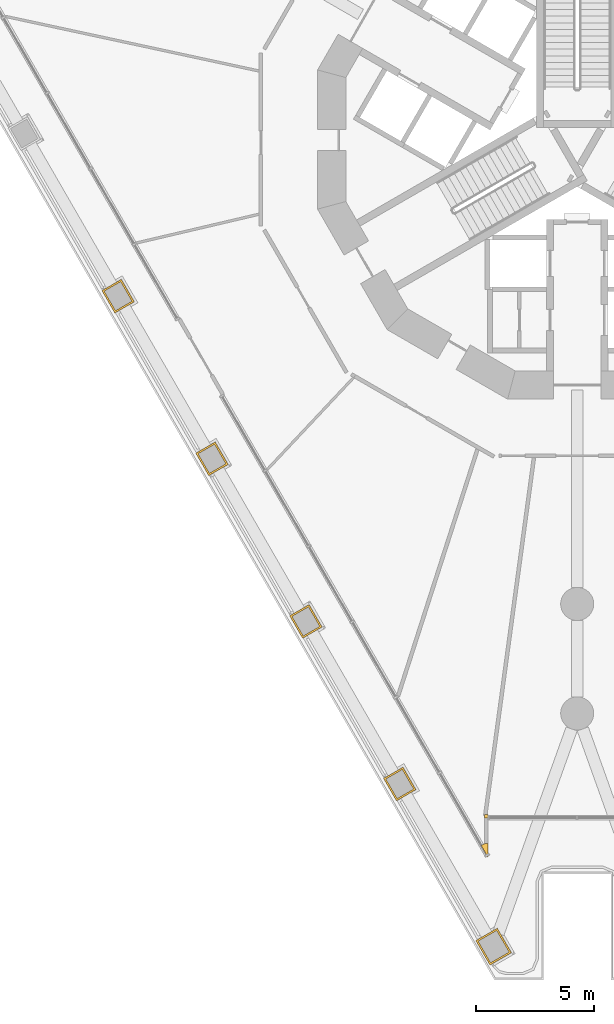
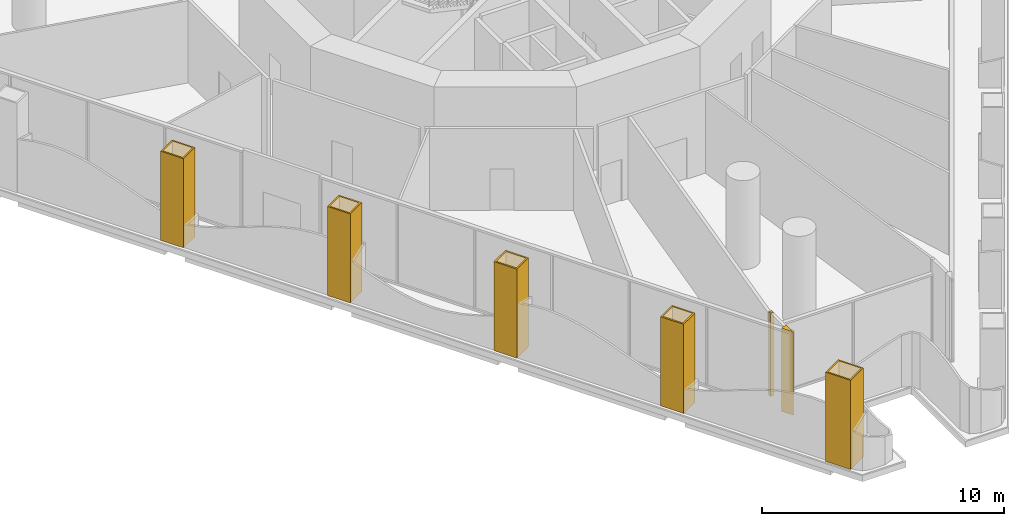
# One storey, part 14 of 21: 7 coverings.
"""IFC4 building model written with IfcOpenShell, lengths in metres."""

from ifc_helpers import new_model, si_unit, direction, frame, origin, place, context, subcontext, project, spatial, polyline, outline, extrude, material, layer, layer_set, type_object, element, save


model = new_model("IFC4")

# Units and contexts
model_context = context("Model", 3, precision=1e-05, world=origin(), true_north=direction((0.0, 1.0)))
body_context = subcontext(model_context, "Body", "Model", "MODEL_VIEW")
ifc_project = project(units=[si_unit("LENGTHUNIT", "METRE"), si_unit("AREAUNIT", "SQUARE_METRE"), si_unit("VOLUMEUNIT", "CUBIC_METRE"), si_unit("PLANEANGLEUNIT", "RADIAN"), si_unit("MASSUNIT", "GRAM", prefix="KILO")], contexts=[model_context])

# Site, building, storey
site_placement = place(None, origin())
site = spatial("IfcSite", under=ifc_project, at=site_placement, CompositionType="ELEMENT")
building_placement = place(site_placement, origin())
building = spatial("IfcBuilding", under=site, at=building_placement, Name="Trine Commons Tower", CompositionType="ELEMENT")
storey_placement = place(building_placement, frame((0.0, 0.0, 27.0)))
storey = spatial("IfcBuildingStorey", under=building, at=storey_placement, Name="L05", CompositionType="ELEMENT", Elevation=27.0)

# Coverings
ifc_material_1 = material(Name="Aluminium-framed insulated wall panel", Category="aluminium")
ifc_layer_1 = layer(ifc_material_1, 0.14990234375)
ifc_layer_set_1 = layer_set([ifc_layer_1], Name="Aluminium-framed insulated wall panel")
covering_type_1 = type_object("IfcCoveringType", Name="Glazing corner post, aluminium", PredefinedType="CLADDING", material=ifc_layer_set_1)
covering_1_placement = place(storey_placement, origin())
element("IfcCovering", 1, at=covering_1_placement, inside=storey, type_object=covering_type_1, Name="Glazing corner post 1-11", PredefinedType="CLADDING", context=body_context, shape_type="SweptSolid", body=[
    extrude(outline(polyline([(76.2099609375, 33.870849609375), (76.06005859375, 33.870849609375), (76.06005859375, 33.720703125), (76.2099609375, 33.720703125), (76.2099609375, 33.870849609375)])), origin(), (0.0, 0.0, 1.0), 4.199951171875),
])
covering_2_placement = place(storey_placement, origin())
element("IfcCovering", 2, at=covering_2_placement, inside=storey, type_object=covering_type_1, Name="Glazing corner post 1-12", PredefinedType="CLADDING", context=body_context, shape_type="SweptSolid", body=[
    extrude(outline(polyline([(75.93017578125, 32.56005859375), (76.2099609375, 32.0751953125), (76.2099609375, 32.635009765625), (76.06005859375, 32.635009765625), (75.93017578125, 32.56005859375)])), origin(), (0.0, 0.0, 1.0), 4.199951171875),
])
ifc_material_2 = material(Name="Limestone, honed", Category="masonry")
ifc_layer_2 = layer(ifc_material_2, 0.074951171875)
ifc_layer_set_2 = layer_set([ifc_layer_2], Name="Limestone, honed")
covering_type_2 = type_object("IfcCoveringType", Name="Limestone column cladding 75", PredefinedType="CLADDING", material=ifc_layer_set_2)
covering_3_placement = place(storey_placement, origin())
element("IfcCovering", 3, at=covering_3_placement, inside=storey, type_object=covering_type_2, Name="Limestone pier cladding 1-01", PredefinedType="CLADDING", context=body_context, shape_type="SweptSolid", body=[
    extrude(outline(polyline([(76.610107421875, 29.052001953125), (75.70068359375, 28.527099609375), (76.30078125, 27.48779296875), (77.210205078125, 28.012939453125), (76.610107421875, 29.052001953125)]), holes=[polyline([(76.582763671875, 28.94970703125), (75.80322265625, 28.499755859375), (76.328369140625, 27.59033203125), (77.107666015625, 28.040283203125), (76.582763671875, 28.94970703125)])]), origin(), (0.0, 0.0, 1.0), 4.5),
])
covering_4_placement = place(storey_placement, origin())
element("IfcCovering", 4, at=covering_4_placement, inside=storey, type_object=covering_type_2, Name="Limestone pier cladding 1-02", PredefinedType="CLADDING", context=body_context, shape_type="SweptSolid", body=[
    extrude(outline(polyline([(72.610107421875, 35.88037109375), (71.787353515625, 35.4052734375), (72.33740234375, 34.45263671875), (73.16015625, 34.927734375), (72.610107421875, 35.88037109375)]), holes=[polyline([(72.582763671875, 35.77783203125), (71.889892578125, 35.3779296875), (72.364990234375, 34.55517578125), (73.0576171875, 34.955078125), (72.582763671875, 35.77783203125)])]), origin(), (0.0, 0.0, 1.0), 4.5),
])
covering_5_placement = place(storey_placement, origin())
element("IfcCovering", 5, at=covering_5_placement, inside=storey, type_object=covering_type_2, Name="Limestone pier cladding 1-03", PredefinedType="CLADDING", context=body_context, shape_type="SweptSolid", body=[
    extrude(outline(polyline([(68.62841796875, 42.77685546875), (67.8056640625, 42.3017578125), (68.355712890625, 41.34912109375), (69.178466796875, 41.82421875), (68.62841796875, 42.77685546875)]), holes=[polyline([(68.60107421875, 42.67431640625), (67.908203125, 42.2744140625), (68.38330078125, 41.45166015625), (69.075927734375, 41.8515625), (68.60107421875, 42.67431640625)])]), origin(), (0.0, 0.0, 1.0), 4.5),
])
covering_6_placement = place(storey_placement, origin())
element("IfcCovering", 6, at=covering_6_placement, inside=storey, type_object=covering_type_2, Name="Limestone pier cladding 1-04", PredefinedType="CLADDING", context=body_context, shape_type="SweptSolid", body=[
    extrude(outline(polyline([(64.64697265625, 49.67333984375), (63.82421875, 49.1982421875), (64.3740234375, 48.24560546875), (65.197021484375, 48.720703125), (64.64697265625, 49.67333984375)]), holes=[polyline([(64.619384765625, 49.57080078125), (63.926513671875, 49.1708984375), (64.401611328125, 48.34814453125), (65.094482421875, 48.748046875), (64.619384765625, 49.57080078125)])]), origin(), (0.0, 0.0, 1.0), 4.5),
])
covering_7_placement = place(storey_placement, origin())
element("IfcCovering", 7, at=covering_7_placement, inside=storey, type_object=covering_type_2, Name="Limestone pier cladding 1-05", PredefinedType="CLADDING", context=body_context, shape_type="SweptSolid", body=[
    extrude(outline(polyline([(60.665283203125, 56.569580078125), (59.84228515625, 56.0947265625), (60.392333984375, 55.14208984375), (61.215087890625, 55.6171875), (60.665283203125, 56.569580078125)]), holes=[polyline([(60.6376953125, 56.46728515625), (59.94482421875, 56.0673828125), (60.419921875, 55.244384765625), (61.11279296875, 55.64453125), (60.6376953125, 56.46728515625)])]), origin(), (0.0, 0.0, 1.0), 4.5),
])

save(model, "model.ifc")
